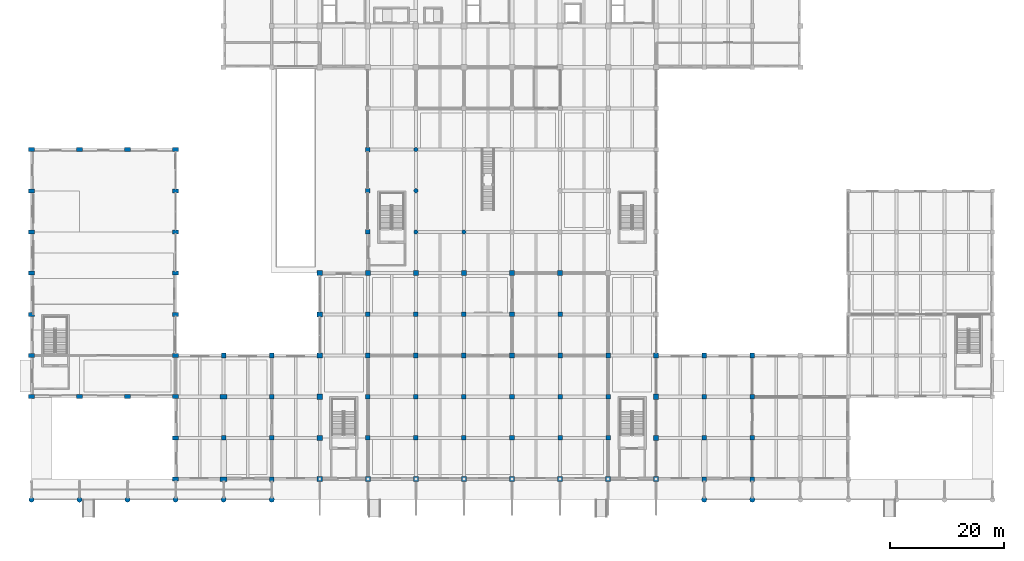
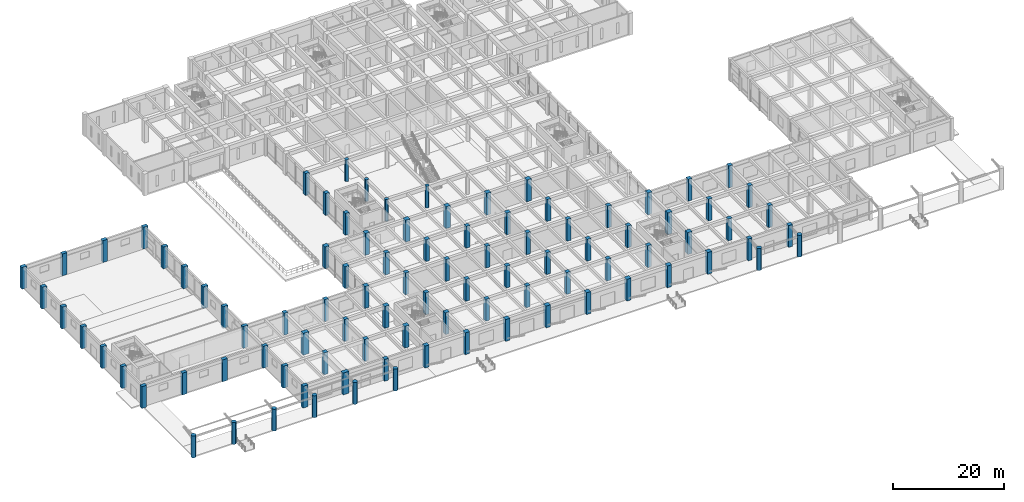
# One storey, part 1 of 49: 95 columns.
"""IFC4 building model written with IfcOpenShell, lengths in metres."""

from ifc_helpers import new_model, si_unit, direction, frame, origin, origin_2d, place, context, subcontext, project, spatial, rectangle, circle, extrude, material, material_profile, profile_set, type_object, element, save


model = new_model("IFC4")

# Units and contexts
model_context = context("Model", 3, precision=1e-05, world=origin(), true_north=direction((0.0, 1.0)))
body_context = subcontext(model_context, "Body", "Model", "MODEL_VIEW")
ifc_project = project(units=[si_unit("LENGTHUNIT", "METRE"), si_unit("AREAUNIT", "SQUARE_METRE"), si_unit("VOLUMEUNIT", "CUBIC_METRE"), si_unit("PLANEANGLEUNIT", "RADIAN"), si_unit("MASSUNIT", "GRAM", prefix="KILO")], contexts=[model_context])

# Site, building, storey
site_placement = place(None, origin())
site = spatial("IfcSite", under=ifc_project, at=site_placement, CompositionType="ELEMENT")
building_placement = place(site_placement, origin())
building = spatial("IfcBuilding", under=site, at=building_placement, Name="Kenerak Square Central Library", CompositionType="ELEMENT")
storey_placement = place(building_placement, origin())
storey = spatial("IfcBuildingStorey", under=building, at=storey_placement, Name="L00", CompositionType="ELEMENT", Elevation=0.0)

# Columns
ifc_material_1 = material(Name="Concrete C40/50", Category="concrete")
ifc_material_profile_1 = material_profile(ifc_material_1, circle(Radius=0.375, at=origin_2d()), Name="RC D750")
ifc_profile_set_1 = profile_set([ifc_material_profile_1], Name="Concrete C40/50")
column_type_1 = type_object("IfcColumnType", Name="Atrium Column C-13 RC D750 C40/50", PredefinedType="COLUMN", material=ifc_profile_set_1)
for number, where, z_axis, x_axis, name in (
    (1, (75.199951171875, 60.0, 0.0), (0.0, 0.0, 1.0), (1.0, 0.0, 0.0), "Column C-13 L00 9/J"),
    (2, (75.199951171875, 67.199951171875, 0.0), (0.0, 0.0, 1.0), (1.0, 0.0, 0.0), "Column C-13 L00 9/K"),
    (3, (75.199951171875, 74.39990234375, 0.0), (0.0, 0.0, 1.0), (1.0, 0.0, 0.0), "Column C-13 L00 9/L"),
    (4, (83.60009765625, 60.0, 0.0), (0.0, 0.0, 1.0), (1.0, 0.0, 0.0), "Column C-13 L00 10/J"),
):
    element("IfcColumn", number, at=place(storey_placement, frame(where, z_axis=z_axis, x_axis=x_axis)), inside=storey, type_object=column_type_1, Name=name, PredefinedType="COLUMN", context=body_context, shape_type="SweptSolid", body=[
        extrude(circle(Radius=0.375, at=origin_2d()), origin(), (0.0, 0.0, 1.0), 4.800048828125),
    ])
ifc_material_2 = material(Name="Concrete C45/55", Category="concrete")
ifc_material_profile_2 = material_profile(ifc_material_2, circle(Radius=0.449951171875, at=origin_2d()), Name="RC D900")
ifc_profile_set_2 = profile_set([ifc_material_profile_2], Name="Concrete C45/55")
column_type_2 = type_object("IfcColumnType", Name="Colonnade Pier C-12 RC D900 C45/55", PredefinedType="COLUMN", material=ifc_profile_set_2)
for number, where, z_axis, x_axis, name in (
    (5, (8.0, 13.199951171875, 0.0), (0.0, 0.0, 1.0), (1.0, 0.0, 0.0), "Colonnade Pier C-12 01"),
    (6, (16.39990234375, 13.199951171875, 0.0), (0.0, 0.0, 1.0), (1.0, 0.0, 0.0), "Colonnade Pier C-12 02"),
    (7, (24.800048828125, 13.199951171875, 0.0), (0.0, 0.0, 1.0), (1.0, 0.0, 0.0), "Colonnade Pier C-12 03"),
    (8, (33.199951171875, 13.199951171875, 0.0), (0.0, 0.0, 1.0), (1.0, 0.0, 0.0), "Colonnade Pier C-12 04"),
    (9, (41.60009765625, 13.199951171875, 0.0), (0.0, 0.0, 1.0), (1.0, 0.0, 0.0), "Colonnade Pier C-12 05"),
    (10, (50.0, 13.199951171875, 0.0), (0.0, 0.0, 1.0), (1.0, 0.0, 0.0), "Colonnade Pier C-12 06"),
    (11, (125.60009765625, 13.199951171875, 0.0), (0.0, 0.0, 1.0), (1.0, 0.0, 0.0), "Colonnade Pier C-12 07"),
    (12, (134.0, 13.199951171875, 0.0), (0.0, 0.0, 1.0), (1.0, 0.0, 0.0), "Colonnade Pier C-12 08"),
):
    element("IfcColumn", number, at=place(storey_placement, frame(where, z_axis=z_axis, x_axis=x_axis)), inside=storey, type_object=column_type_2, Name=name, PredefinedType="COLUMN", context=body_context, shape_type="SweptSolid", body=[
        extrude(circle(Radius=0.449951171875, at=origin_2d()), origin(), (0.0, 0.0, 1.0), 4.800048828125),
    ])
ifc_material_profile_3 = material_profile(ifc_material_2, rectangle(XDim=0.89990234375, YDim=0.89990234375, at=origin_2d()), Name="RC 900x900")
ifc_profile_set_3 = profile_set([ifc_material_profile_3], Name="Concrete C45/55")
column_type_3 = type_object("IfcColumnType", Name="Column C-02 RC 900x900 C45/55", PredefinedType="COLUMN", material=ifc_profile_set_3)
for number, where, z_axis, x_axis, name in (
    (13, (58.39990234375, 16.800048828125, 0.0), (0.0, 0.0, 1.0), (1.0, 0.0, 0.0), "Column C-02 L00 7/C"),
    (14, (58.39990234375, 24.0, 0.0), (0.0, 0.0, 1.0), (1.0, 0.0, 0.0), "Column C-02 L00 7/D"),
    (15, (58.39990234375, 31.199951171875, 0.0), (0.0, 0.0, 1.0), (1.0, 0.0, 0.0), "Column C-02 L00 7/E"),
    (16, (58.39990234375, 38.39990234375, 0.0), (0.0, 0.0, 1.0), (1.0, 0.0, 0.0), "Column C-02 L00 7/F"),
    (17, (58.39990234375, 45.60009765625, 0.0), (0.0, 0.0, 1.0), (1.0, 0.0, 0.0), "Column C-02 L00 7/G"),
    (18, (58.39990234375, 52.800048828125, 0.0), (0.0, 0.0, 1.0), (1.0, 0.0, 0.0), "Column C-02 L00 7/H"),
    (19, (66.800048828125, 16.800048828125, 0.0), (0.0, 0.0, 1.0), (1.0, 0.0, 0.0), "Column C-02 L00 8/C"),
    (20, (66.800048828125, 52.800048828125, 0.0), (0.0, 0.0, 1.0), (1.0, 0.0, 0.0), "Column C-02 L00 8/H"),
    (21, (75.199951171875, 16.800048828125, 0.0), (0.0, 0.0, 1.0), (1.0, 0.0, 0.0), "Column C-02 L00 9/C"),
    (22, (75.199951171875, 52.800048828125, 0.0), (0.0, 0.0, 1.0), (1.0, 0.0, 0.0), "Column C-02 L00 9/H"),
    (23, (83.60009765625, 16.800048828125, 0.0), (0.0, 0.0, 1.0), (1.0, 0.0, 0.0), "Column C-02 L00 10/C"),
    (24, (83.60009765625, 52.800048828125, 0.0), (0.0, 0.0, 1.0), (1.0, 0.0, 0.0), "Column C-02 L00 10/H"),
    (25, (92.0, 16.800048828125, 0.0), (0.0, 0.0, 1.0), (1.0, 0.0, 0.0), "Column C-02 L00 11/C"),
    (26, (92.0, 52.800048828125, 0.0), (0.0, 0.0, 1.0), (1.0, 0.0, 0.0), "Column C-02 L00 11/H"),
    (27, (100.39990234375, 16.800048828125, 0.0), (0.0, 0.0, 1.0), (1.0, 0.0, 0.0), "Column C-02 L00 12/C"),
    (28, (100.39990234375, 52.800048828125, 0.0), (0.0, 0.0, 1.0), (1.0, 0.0, 0.0), "Column C-02 L00 12/H"),
    (29, (108.800048828125, 16.800048828125, 0.0), (0.0, 0.0, 1.0), (1.0, 0.0, 0.0), "Column C-02 L00 13/C"),
    (30, (117.199951171875, 16.800048828125, 0.0), (0.0, 0.0, 1.0), (1.0, 0.0, 0.0), "Column C-02 L00 14/C"),
    (31, (117.199951171875, 24.0, 0.0), (0.0, 0.0, 1.0), (1.0, 0.0, 0.0), "Column C-02 L00 14/D"),
    (32, (117.199951171875, 31.199951171875, 0.0), (0.0, 0.0, 1.0), (1.0, 0.0, 0.0), "Column C-02 L00 14/E"),
    (33, (117.199951171875, 38.39990234375, 0.0), (0.0, 0.0, 1.0), (1.0, 0.0, 0.0), "Column C-02 L00 14/F"),
):
    element("IfcColumn", number, at=place(storey_placement, frame(where, z_axis=z_axis, x_axis=x_axis)), inside=storey, type_object=column_type_3, Name=name, PredefinedType="COLUMN", context=body_context, shape_type="SweptSolid", body=[
        extrude(rectangle(XDim=0.89990234375, YDim=0.89990234375, at=origin_2d()), origin(), (0.0, 0.0, 1.0), 4.800048828125),
    ])
ifc_material_profile_4 = material_profile(ifc_material_2, rectangle(XDim=0.800048828125, YDim=0.800048828125, at=origin_2d()), Name="RC 800x800")
ifc_profile_set_4 = profile_set([ifc_material_profile_4], Name="Concrete C45/55")
column_type_4 = type_object("IfcColumnType", Name="Column C-04 RC 800x800 C45/55", PredefinedType="COLUMN", material=ifc_profile_set_4)
for number, where, z_axis, x_axis, name in (
    (34, (41.60009765625, 24.0, 0.0), (0.0, 0.0, 1.0), (1.0, 0.0, 0.0), "Column C-04 L00 5/D"),
    (35, (41.60009765625, 38.39990234375, 0.0), (0.0, 0.0, 1.0), (1.0, 0.0, 0.0), "Column C-04 L00 5/F"),
    (36, (50.0, 16.800048828125, 0.0), (0.0, 0.0, 1.0), (1.0, 0.0, 0.0), "Column C-04 L00 6/C"),
    (37, (50.0, 24.0, 0.0), (0.0, 0.0, 1.0), (1.0, 0.0, 0.0), "Column C-04 L00 6/D"),
    (38, (50.0, 31.199951171875, 0.0), (0.0, 0.0, 1.0), (1.0, 0.0, 0.0), "Column C-04 L00 6/E"),
    (39, (50.0, 38.39990234375, 0.0), (0.0, 0.0, 1.0), (1.0, 0.0, 0.0), "Column C-04 L00 6/F"),
    (40, (66.800048828125, 24.0, 0.0), (0.0, 0.0, 1.0), (1.0, 0.0, 0.0), "Column C-04 L00 8/D"),
    (41, (66.800048828125, 31.199951171875, 0.0), (0.0, 0.0, 1.0), (1.0, 0.0, 0.0), "Column C-04 L00 8/E"),
    (42, (66.800048828125, 38.39990234375, 0.0), (0.0, 0.0, 1.0), (1.0, 0.0, 0.0), "Column C-04 L00 8/F"),
    (43, (66.800048828125, 45.60009765625, 0.0), (0.0, 0.0, 1.0), (1.0, 0.0, 0.0), "Column C-04 L00 8/G"),
    (44, (66.800048828125, 60.0, 0.0), (0.0, 0.0, 1.0), (1.0, 0.0, 0.0), "Column C-04 L00 8/J"),
    (45, (66.800048828125, 67.199951171875, 0.0), (0.0, 0.0, 1.0), (1.0, 0.0, 0.0), "Column C-04 L00 8/K"),
    (46, (66.800048828125, 74.39990234375, 0.0), (0.0, 0.0, 1.0), (1.0, 0.0, 0.0), "Column C-04 L00 8/L"),
    (47, (75.199951171875, 24.0, 0.0), (0.0, 0.0, 1.0), (1.0, 0.0, 0.0), "Column C-04 L00 9/D"),
    (48, (75.199951171875, 31.199951171875, 0.0), (0.0, 0.0, 1.0), (1.0, 0.0, 0.0), "Column C-04 L00 9/E"),
    (49, (75.199951171875, 38.39990234375, 0.0), (0.0, 0.0, 1.0), (1.0, 0.0, 0.0), "Column C-04 L00 9/F"),
    (50, (75.199951171875, 45.60009765625, 0.0), (0.0, 0.0, 1.0), (1.0, 0.0, 0.0), "Column C-04 L00 9/G"),
    (51, (83.60009765625, 24.0, 0.0), (0.0, 0.0, 1.0), (1.0, 0.0, 0.0), "Column C-04 L00 10/D"),
    (52, (83.60009765625, 31.199951171875, 0.0), (0.0, 0.0, 1.0), (1.0, 0.0, 0.0), "Column C-04 L00 10/E"),
    (53, (83.60009765625, 38.39990234375, 0.0), (0.0, 0.0, 1.0), (1.0, 0.0, 0.0), "Column C-04 L00 10/F"),
    (54, (83.60009765625, 45.60009765625, 0.0), (0.0, 0.0, 1.0), (1.0, 0.0, 0.0), "Column C-04 L00 10/G"),
    (55, (92.0, 24.0, 0.0), (0.0, 0.0, 1.0), (1.0, 0.0, 0.0), "Column C-04 L00 11/D"),
    (56, (92.0, 31.199951171875, 0.0), (0.0, 0.0, 1.0), (1.0, 0.0, 0.0), "Column C-04 L00 11/E"),
    (57, (92.0, 38.39990234375, 0.0), (0.0, 0.0, 1.0), (1.0, 0.0, 0.0), "Column C-04 L00 11/F"),
    (58, (92.0, 45.60009765625, 0.0), (0.0, 0.0, 1.0), (1.0, 0.0, 0.0), "Column C-04 L00 11/G"),
    (59, (100.39990234375, 24.0, 0.0), (0.0, 0.0, 1.0), (1.0, 0.0, 0.0), "Column C-04 L00 12/D"),
    (60, (100.39990234375, 31.199951171875, 0.0), (0.0, 0.0, 1.0), (1.0, 0.0, 0.0), "Column C-04 L00 12/E"),
    (61, (100.39990234375, 38.39990234375, 0.0), (0.0, 0.0, 1.0), (1.0, 0.0, 0.0), "Column C-04 L00 12/F"),
    (62, (100.39990234375, 45.60009765625, 0.0), (0.0, 0.0, 1.0), (1.0, 0.0, 0.0), "Column C-04 L00 12/G"),
    (63, (108.800048828125, 24.0, 0.0), (0.0, 0.0, 1.0), (1.0, 0.0, 0.0), "Column C-04 L00 13/D"),
    (64, (108.800048828125, 31.199951171875, 0.0), (0.0, 0.0, 1.0), (1.0, 0.0, 0.0), "Column C-04 L00 13/E"),
    (65, (108.800048828125, 38.39990234375, 0.0), (0.0, 0.0, 1.0), (1.0, 0.0, 0.0), "Column C-04 L00 13/F"),
    (66, (125.60009765625, 16.800048828125, 0.0), (0.0, 0.0, 1.0), (1.0, 0.0, 0.0), "Column C-04 L00 15/C"),
    (67, (125.60009765625, 24.0, 0.0), (0.0, 0.0, 1.0), (1.0, 0.0, 0.0), "Column C-04 L00 15/D"),
    (68, (125.60009765625, 31.199951171875, 0.0), (0.0, 0.0, 1.0), (1.0, 0.0, 0.0), "Column C-04 L00 15/E"),
    (69, (125.60009765625, 38.39990234375, 0.0), (0.0, 0.0, 1.0), (1.0, 0.0, 0.0), "Column C-04 L00 15/F"),
    (70, (134.0, 16.800048828125, 0.0), (0.0, 0.0, 1.0), (1.0, 0.0, 0.0), "Column C-04 L00 16/C"),
    (71, (134.0, 24.0, 0.0), (0.0, 0.0, 1.0), (1.0, 0.0, 0.0), "Column C-04 L00 16/D"),
    (72, (134.0, 31.199951171875, 0.0), (0.0, 0.0, 1.0), (1.0, 0.0, 0.0), "Column C-04 L00 16/E"),
    (73, (134.0, 38.39990234375, 0.0), (0.0, 0.0, 1.0), (1.0, 0.0, 0.0), "Column C-04 L00 16/F"),
):
    element("IfcColumn", number, at=place(storey_placement, frame(where, z_axis=z_axis, x_axis=x_axis)), inside=storey, type_object=column_type_4, Name=name, PredefinedType="COLUMN", context=body_context, shape_type="SweptSolid", body=[
        extrude(rectangle(XDim=0.800048828125, YDim=0.800048828125, at=origin_2d()), origin(), (0.0, 0.0, 1.0), 4.800048828125),
    ])
ifc_material_profile_5 = material_profile(ifc_material_2, rectangle(XDim=1.199951171875, YDim=0.800048828125, at=origin_2d()), Name="RC 1200x800")
ifc_profile_set_5 = profile_set([ifc_material_profile_5], Name="Concrete C45/55")
column_type_5 = type_object("IfcColumnType", Name="Column C-10 RC 1200x800 C45/55", PredefinedType="COLUMN", material=ifc_profile_set_5)
for number, where, z_axis, x_axis, name in (
    (74, (41.60009765625, 16.800048828125, 0.0), (0.0, 0.0, 1.0), (1.0, 0.0, 0.0), "Column C-10 L00 5/C"),
    (75, (41.60009765625, 31.199951171875, 0.0), (0.0, 0.0, 1.0), (1.0, 0.0, 0.0), "Column C-10 L00 5/E"),
):
    element("IfcColumn", number, at=place(storey_placement, frame(where, z_axis=z_axis, x_axis=x_axis)), inside=storey, type_object=column_type_5, Name=name, PredefinedType="COLUMN", context=body_context, shape_type="SweptSolid", body=[
        extrude(rectangle(XDim=1.199951171875, YDim=0.800048828125, at=origin_2d()), origin(), (0.0, 0.0, 1.0), 4.800048828125),
    ])
ifc_material_profile_6 = material_profile(ifc_material_2, rectangle(XDim=1.0, YDim=0.699951171875, at=origin_2d()), Name="RC 1000x700")
ifc_profile_set_6 = profile_set([ifc_material_profile_6], Name="Concrete C45/55")
column_type_6 = type_object("IfcColumnType", Name="Column C-11 RC 1000x700 C45/55", PredefinedType="COLUMN", material=ifc_profile_set_6)
for number, where, z_axis, x_axis, name in (
    (76, (8.0, 31.199951171875, 0.0), (0.0, 0.0, 1.0), (1.0, 0.0, 0.0), "Column C-11 L00 1/E"),
    (77, (8.0, 38.39990234375, 0.0), (0.0, 0.0, 1.0), (1.0, 0.0, 0.0), "Column C-11 L00 1/F"),
    (78, (8.0, 45.60009765625, 0.0), (0.0, 0.0, 1.0), (1.0, 0.0, 0.0), "Column C-11 L00 1/G"),
    (79, (8.0, 52.800048828125, 0.0), (0.0, 0.0, 1.0), (1.0, 0.0, 0.0), "Column C-11 L00 1/H"),
    (80, (8.0, 60.0, 0.0), (0.0, 0.0, 1.0), (1.0, 0.0, 0.0), "Column C-11 L00 1/J"),
    (81, (8.0, 67.199951171875, 0.0), (0.0, 0.0, 1.0), (1.0, 0.0, 0.0), "Column C-11 L00 1/K"),
    (82, (8.0, 74.39990234375, 0.0), (0.0, 0.0, 1.0), (1.0, 0.0, 0.0), "Column C-11 L00 1/L"),
    (83, (16.39990234375, 31.199951171875, 0.0), (0.0, 0.0, 1.0), (1.0, 0.0, 0.0), "Column C-11 L00 2/E"),
    (84, (16.39990234375, 74.39990234375, 0.0), (0.0, 0.0, 1.0), (1.0, 0.0, 0.0), "Column C-11 L00 2/L"),
    (85, (24.800048828125, 31.199951171875, 0.0), (0.0, 0.0, 1.0), (1.0, 0.0, 0.0), "Column C-11 L00 3/E"),
    (86, (24.800048828125, 74.39990234375, 0.0), (0.0, 0.0, 1.0), (1.0, 0.0, 0.0), "Column C-11 L00 3/L"),
    (87, (33.199951171875, 16.800048828125, 0.0), (0.0, 0.0, 1.0), (1.0, 0.0, 0.0), "Column C-11 L00 4/C"),
    (88, (33.199951171875, 24.0, 0.0), (0.0, 0.0, 1.0), (1.0, 0.0, 0.0), "Column C-11 L00 4/D"),
    (89, (33.199951171875, 31.199951171875, 0.0), (0.0, 0.0, 1.0), (1.0, 0.0, 0.0), "Column C-11 L00 4/E"),
    (90, (33.199951171875, 38.39990234375, 0.0), (0.0, 0.0, 1.0), (1.0, 0.0, 0.0), "Column C-11 L00 4/F"),
    (91, (33.199951171875, 45.60009765625, 0.0), (0.0, 0.0, 1.0), (1.0, 0.0, 0.0), "Column C-11 L00 4/G"),
    (92, (33.199951171875, 52.800048828125, 0.0), (0.0, 0.0, 1.0), (1.0, 0.0, 0.0), "Column C-11 L00 4/H"),
    (93, (33.199951171875, 60.0, 0.0), (0.0, 0.0, 1.0), (1.0, 0.0, 0.0), "Column C-11 L00 4/J"),
    (94, (33.199951171875, 67.199951171875, 0.0), (0.0, 0.0, 1.0), (1.0, 0.0, 0.0), "Column C-11 L00 4/K"),
    (95, (33.199951171875, 74.39990234375, 0.0), (0.0, 0.0, 1.0), (1.0, 0.0, 0.0), "Column C-11 L00 4/L"),
):
    element("IfcColumn", number, at=place(storey_placement, frame(where, z_axis=z_axis, x_axis=x_axis)), inside=storey, type_object=column_type_6, Name=name, PredefinedType="COLUMN", context=body_context, shape_type="SweptSolid", body=[
        extrude(rectangle(XDim=1.0, YDim=0.699951171875, at=origin_2d()), origin(), (0.0, 0.0, 1.0), 4.800048828125),
    ])

save(model, "model.ifc")
